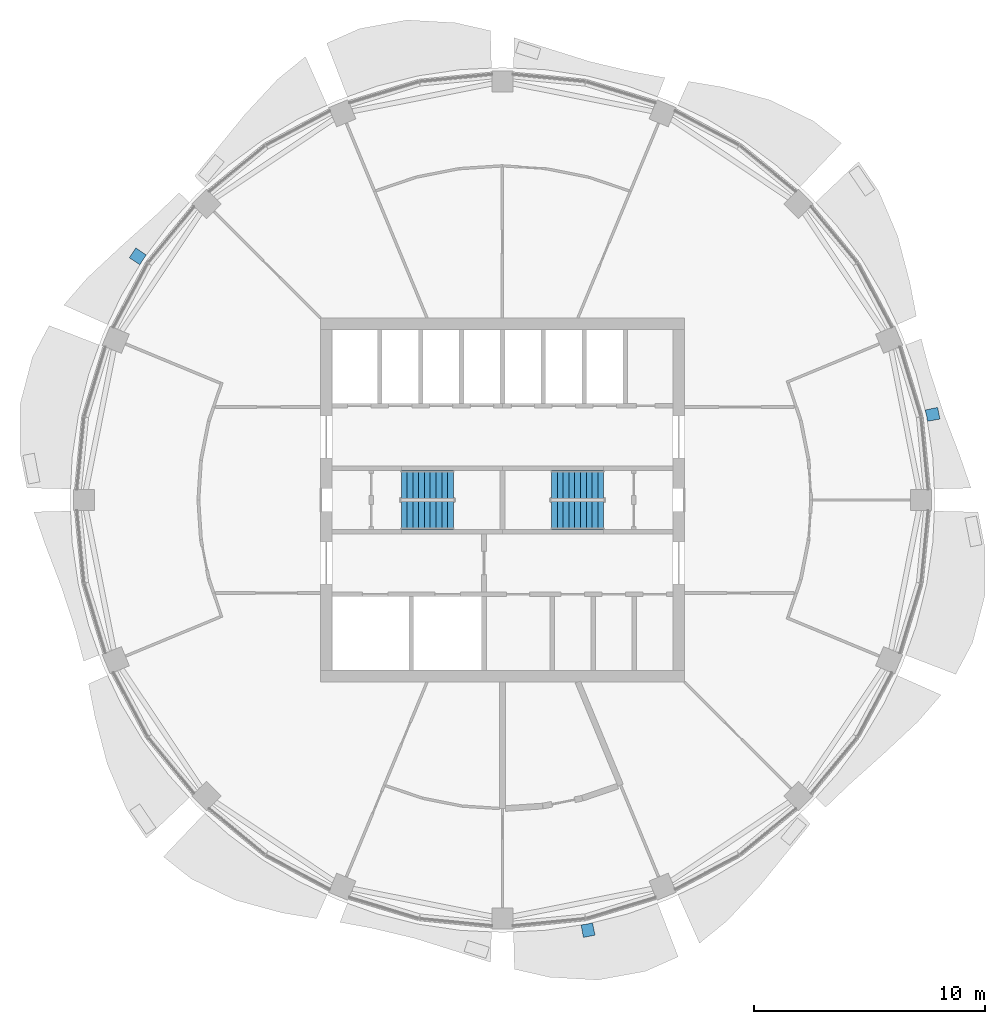
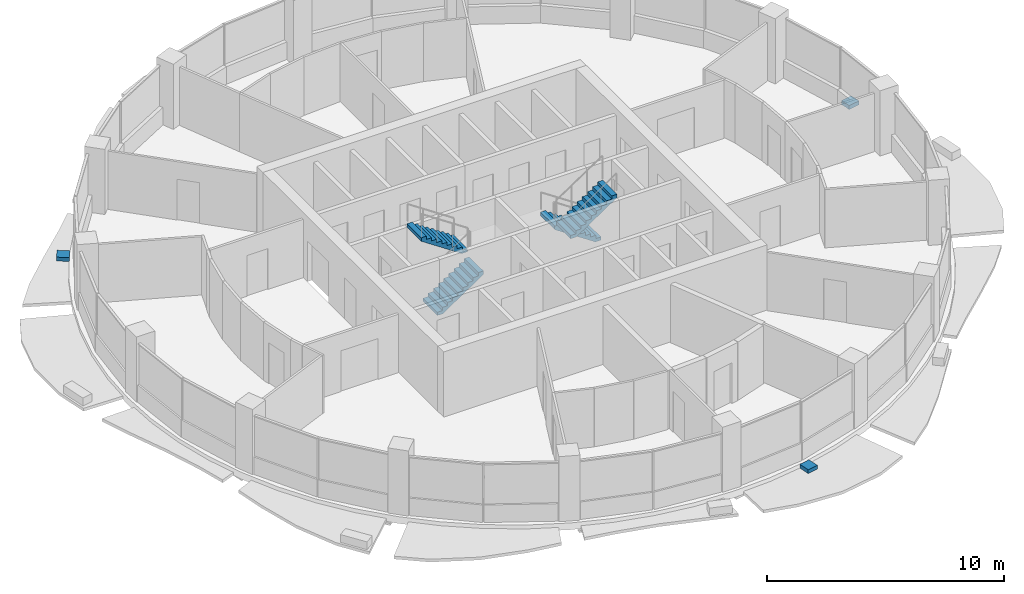
# One storey, part 11 of 15: 4 stair flights, 3 discrete accessories, 2 elements without a shape of their own.
"""IFC4 building model written with IfcOpenShell, lengths in metres."""

from ifc_helpers import new_model, si_unit, direction, frame, origin, place, context, subcontext, project, spatial, polyline, outline, extrude, material, type_object, element, aggregate, save


model = new_model("IFC4")

# Units and contexts
model_context = context("Model", 3, precision=1e-05, world=origin(), true_north=direction((0.0, 1.0)))
body_context = subcontext(model_context, "Body", "Model", "MODEL_VIEW")
ifc_project = project(units=[si_unit("LENGTHUNIT", "METRE"), si_unit("AREAUNIT", "SQUARE_METRE"), si_unit("VOLUMEUNIT", "CUBIC_METRE"), si_unit("PLANEANGLEUNIT", "RADIAN"), si_unit("MASSUNIT", "GRAM", prefix="KILO")], contexts=[model_context])

# Site, building, storey
site_placement = place(None, origin())
site = spatial("IfcSite", under=ifc_project, at=site_placement, CompositionType="ELEMENT")
building_placement = place(site_placement, origin())
building = spatial("IfcBuilding", under=site, at=building_placement, Name="Polderwave Tower", CompositionType="ELEMENT")
storey_placement = place(building_placement, frame((0.0, 0.0, 174.25)))
storey = spatial("IfcBuildingStorey", under=building, at=storey_placement, Name="L46", CompositionType="ELEMENT", Elevation=174.25)

# Stair, stair flights
ifc_material_1 = material(Name="Concrete C40/50", Category="concrete")
stair_type = type_object("IfcStairType", Name="Exit stair 1200 x 20 risers", PredefinedType="HALF_TURN_STAIR", material=ifc_material_1)
stair_1_placement = place(storey_placement, origin())
stair_1 = element("IfcStair", 1, at=stair_1_placement, inside=storey, type_object=stair_type, Name="L46 Exit stair A", PredefinedType="HALF_TURN_STAIR")
stair_flight_type = type_object("IfcStairFlightType", Name="Stair flight 1200", PredefinedType="STRAIGHT", material=ifc_material_1)
stair_flight_1_placement = place(storey_placement, frame((-4.3740234375, -0.675048828125, 0.0), z_axis=(0.0, 0.0, 1.0), x_axis=(1.0, 0.0, 0.0)))
stair_flight_1 = element("IfcStairFlight", 2, at=stair_flight_1_placement, type_object=stair_flight_type, Name="ST-A flight 1", NumberOfRisers=10, NumberOfTreads=9, PredefinedType="STRAIGHT", RiserHeight=0.1675, TreadLength=0.25, context=body_context, shape_type="SweptSolid", body=[
    extrude(outline(polyline([(0.0, 0.0), (0.0, 0.16748046875), (0.25, 0.16748046875), (0.25, 0.3349609375), (0.5, 0.3349609375), (0.5, 0.50244140625), (0.75, 0.50244140625), (0.75, 0.669921875), (1.0, 0.669921875), (1.0, 0.83740234375), (1.25, 0.83740234375), (1.25, 1.0048828125), (1.5, 1.0048828125), (1.5, 1.172607421875), (1.75, 1.172607421875), (1.75, 1.340087890625), (2.0, 1.340087890625), (2.0, 1.507568359375), (2.25, 1.507568359375), (2.25, 1.675048828125), (2.25, 1.3271484375), (0.269287109375, 0.0), (0.0, 0.0)])), frame((0.0, 0.60009765625, 0.0), z_axis=(0.0, -1.0, 0.0), x_axis=(1.0, 0.0, 0.0)), (0.0, 0.0, 1.0), 1.199951171875),
])
stair_flight_2_placement = place(storey_placement, frame((-2.1240234375, 0.675048828125, 1.675048828125), z_axis=(0.0, 0.0, 1.0), x_axis=(-1.0, 0.0, 0.0)))
stair_flight_2 = element("IfcStairFlight", 3, at=stair_flight_2_placement, type_object=stair_flight_type, Name="ST-A flight 2", NumberOfRisers=10, NumberOfTreads=9, PredefinedType="STRAIGHT", RiserHeight=0.1675, TreadLength=0.25, context=body_context, shape_type="SweptSolid", body=[
    extrude(outline(polyline([(0.0, 0.0), (0.0, 0.16748046875), (0.25, 0.16748046875), (0.25, 0.3349609375), (0.5, 0.3349609375), (0.5, 0.50244140625), (0.75, 0.50244140625), (0.75, 0.669921875), (1.0, 0.669921875), (1.0, 0.83740234375), (1.25, 0.83740234375), (1.25, 1.0048828125), (1.5, 1.0048828125), (1.5, 1.172607421875), (1.75, 1.172607421875), (1.75, 1.340087890625), (2.0, 1.340087890625), (2.0, 1.507568359375), (2.25, 1.507568359375), (2.25, 1.675048828125), (2.25, 1.3271484375), (0.269287109375, 0.0), (0.0, 0.0)])), frame((0.0, 0.60009765625, 0.0), z_axis=(0.0, -1.0, 0.0), x_axis=(1.0, 0.0, 0.0)), (0.0, 0.0, 1.0), 1.199951171875),
])
aggregate(stair_1, [stair_flight_1, stair_flight_2])

stair_2_placement = place(storey_placement, origin())
stair_2 = element("IfcStair", 4, at=stair_2_placement, inside=storey, type_object=stair_type, Name="L46 Exit stair B", PredefinedType="HALF_TURN_STAIR")
stair_flight_3_placement = place(storey_placement, frame((4.3740234375, 0.675048828125, 0.0), z_axis=(0.0, 0.0, 1.0), x_axis=(-1.0, 0.0, 0.0)))
stair_flight_3 = element("IfcStairFlight", 5, at=stair_flight_3_placement, type_object=stair_flight_type, Name="ST-B flight 1", NumberOfRisers=10, NumberOfTreads=9, PredefinedType="STRAIGHT", RiserHeight=0.1675, TreadLength=0.25, context=body_context, shape_type="SweptSolid", body=[
    extrude(outline(polyline([(0.0, 0.0), (0.0, 0.16748046875), (0.25, 0.16748046875), (0.25, 0.3349609375), (0.5, 0.3349609375), (0.5, 0.50244140625), (0.75, 0.50244140625), (0.75, 0.669921875), (1.0, 0.669921875), (1.0, 0.83740234375), (1.25, 0.83740234375), (1.25, 1.0048828125), (1.5, 1.0048828125), (1.5, 1.172607421875), (1.75, 1.172607421875), (1.75, 1.340087890625), (2.0, 1.340087890625), (2.0, 1.507568359375), (2.25, 1.507568359375), (2.25, 1.675048828125), (2.25, 1.3271484375), (0.269287109375, 0.0), (0.0, 0.0)])), frame((0.0, 0.60009765625, 0.0), z_axis=(0.0, -1.0, 0.0), x_axis=(1.0, 0.0, 0.0)), (0.0, 0.0, 1.0), 1.199951171875),
])
stair_flight_4_placement = place(storey_placement, frame((2.1240234375, -0.675048828125, 1.675048828125), z_axis=(0.0, 0.0, 1.0), x_axis=(1.0, 0.0, 0.0)))
stair_flight_4 = element("IfcStairFlight", 6, at=stair_flight_4_placement, type_object=stair_flight_type, Name="ST-B flight 2", NumberOfRisers=10, NumberOfTreads=9, PredefinedType="STRAIGHT", RiserHeight=0.1675, TreadLength=0.25, context=body_context, shape_type="SweptSolid", body=[
    extrude(outline(polyline([(0.0, 0.0), (0.0, 0.16748046875), (0.25, 0.16748046875), (0.25, 0.3349609375), (0.5, 0.3349609375), (0.5, 0.50244140625), (0.75, 0.50244140625), (0.75, 0.669921875), (1.0, 0.669921875), (1.0, 0.83740234375), (1.25, 0.83740234375), (1.25, 1.0048828125), (1.5, 1.0048828125), (1.5, 1.172607421875), (1.75, 1.172607421875), (1.75, 1.340087890625), (2.0, 1.340087890625), (2.0, 1.507568359375), (2.25, 1.507568359375), (2.25, 1.675048828125), (2.25, 1.3271484375), (0.269287109375, 0.0), (0.0, 0.0)])), frame((0.0, 0.60009765625, 0.0), z_axis=(0.0, -1.0, 0.0), x_axis=(1.0, 0.0, 0.0)), (0.0, 0.0, 1.0), 1.199951171875),
])
aggregate(stair_2, [stair_flight_3, stair_flight_4])

# Discrete accessories
ifc_material_2 = material(Name="Steel S355", Category="steel")
discrete_accessory_type = type_object("IfcDiscreteAccessoryType", Name="Band bracket pad", PredefinedType="BRACKET", material=ifc_material_2)
discrete_accessory_1_placement = place(storey_placement, frame((0.0, 0.0, -0.199951171875)))
element("IfcDiscreteAccessory", 7, at=discrete_accessory_1_placement, inside=storey, type_object=discrete_accessory_type, Name="Band bracket L46 1", PredefinedType="BRACKET", context=body_context, shape_type="SweptSolid", body=[
    extrude(outline(polyline([(18.37744140625, 3.40087890625), (18.3408203125, 3.648193359375), (18.27978515625, 3.890625), (18.81787109375, 4.005126953125), (18.918212890625, 3.5009765625), (18.37744140625, 3.40087890625)])), origin(), (0.0, 0.0, 1.0), 0.199951171875),
])
discrete_accessory_2_placement = place(storey_placement, frame((0.0, 0.0, -0.199951171875)))
element("IfcDiscreteAccessory", 8, at=discrete_accessory_2_placement, inside=storey, type_object=discrete_accessory_type, Name="Band bracket L46 7", PredefinedType="BRACKET", context=body_context, shape_type="SweptSolid", body=[
    extrude(outline(polyline([(-15.399658203125, 10.590087890625), (-15.548583984375, 10.38916015625), (-15.677001953125, 10.1748046875), (-16.138427734375, 10.47412109375), (-15.852783203125, 10.901611328125), (-15.399658203125, 10.590087890625)])), origin(), (0.0, 0.0, 1.0), 0.199951171875),
])
discrete_accessory_3_placement = place(storey_placement, frame((0.0, 0.0, -0.199951171875)))
element("IfcDiscreteAccessory", 9, at=discrete_accessory_3_placement, inside=storey, type_object=discrete_accessory_type, Name="Band bracket L46 13", PredefinedType="BRACKET", context=body_context, shape_type="SweptSolid", body=[
    extrude(outline(polyline([(3.40087890625, -18.37744140625), (3.648193359375, -18.3408203125), (3.890625, -18.27978515625), (4.005126953125, -18.81787109375), (3.5009765625, -18.918212890625), (3.40087890625, -18.37744140625)])), origin(), (0.0, 0.0, 1.0), 0.199951171875),
])

save(model, "model.ifc")
